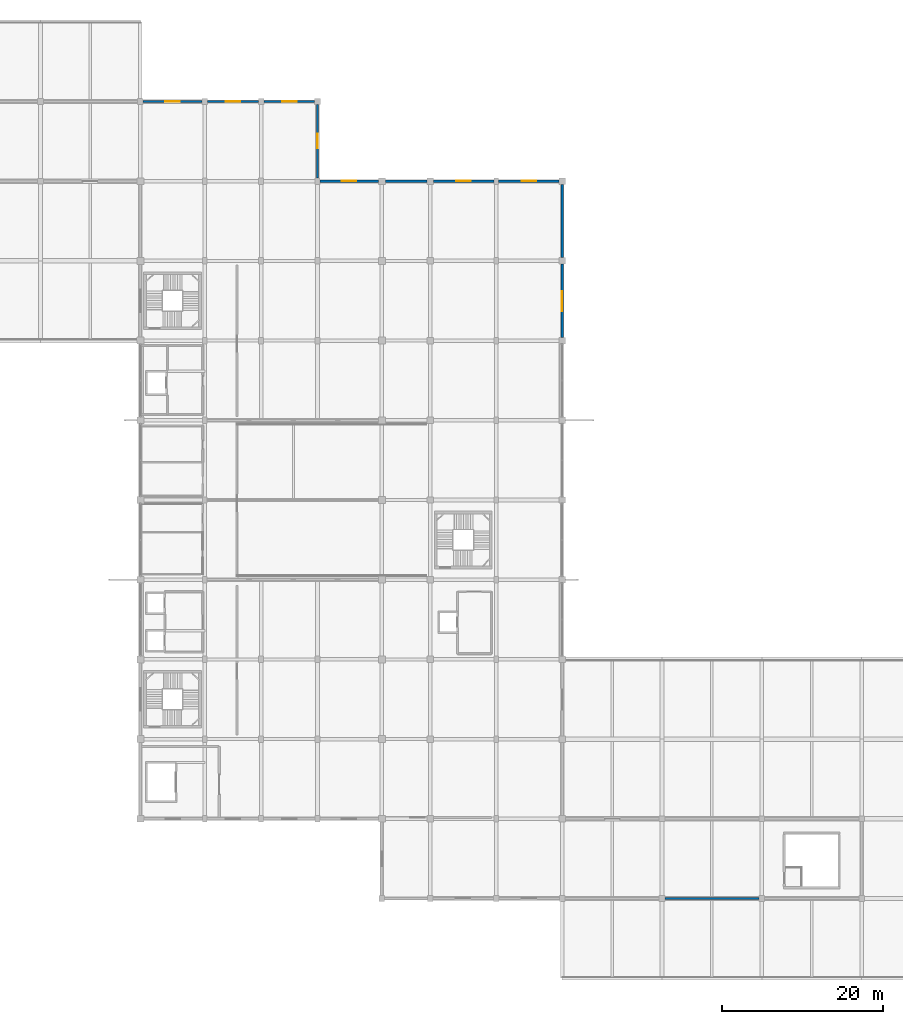
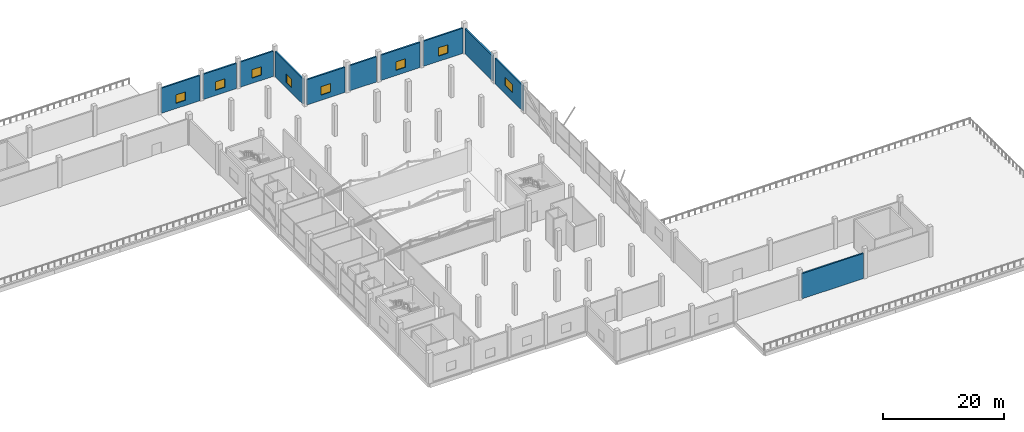
# One storey, part 29 of 46: 11 walls, 8 windows, 8 openings.
"""IFC4 building model written with IfcOpenShell, lengths in metres."""

from ifc_helpers import new_model, si_unit, direction, frame, frame_2d, origin, place, context, subcontext, project, spatial, rectangle, extrude, material, layer, layer_set, type_object, element, fill, save


model = new_model("IFC4")

# Units and contexts
model_context = context("Model", 3, precision=1e-05, world=origin(), true_north=direction((0.0, 1.0)))
body_context = subcontext(model_context, "Body", "Model", "MODEL_VIEW")
ifc_project = project(units=[si_unit("LENGTHUNIT", "METRE"), si_unit("AREAUNIT", "SQUARE_METRE"), si_unit("VOLUMEUNIT", "CUBIC_METRE"), si_unit("PLANEANGLEUNIT", "RADIAN"), si_unit("MASSUNIT", "GRAM", prefix="KILO")], contexts=[model_context])

# Site, building, storey
site_placement = place(None, origin())
site = spatial("IfcSite", under=ifc_project, at=site_placement, CompositionType="ELEMENT")
building_placement = place(site_placement, origin())
building = spatial("IfcBuilding", under=site, at=building_placement, Name="Sillaruma Civic Art Gallery", CompositionType="ELEMENT")
storey_placement = place(building_placement, frame((0.0, 0.0, 16.320068359375)))
storey = spatial("IfcBuildingStorey", under=building, at=storey_placement, Name="L03", CompositionType="ELEMENT", Elevation=16.320068359375)

# Wall, opening, window
ifc_material_1 = material(Name="Concrete H35 (35 MPa)", Category="concrete")
ifc_layer_1 = layer(ifc_material_1, 0.159912109375, Name="Concrete backup", Category="concrete")
ifc_material_2 = material(Name="Mineral Wool Thermal Insulation", Category="insulation")
ifc_layer_2 = layer(ifc_material_2, 0.090087890625, Name="Thermal insulation", Category="insulation")
ifc_material_3 = material(Name="Anodised Zinc-Aluminium Alloy", Category="aluminium")
ifc_layer_3 = layer(ifc_material_3, 0.030029296875, Name="Rainscreen finish", Category="aluminium")
ifc_layer_set_1 = layer_set([ifc_layer_1, ifc_layer_2, ifc_layer_3], Name="W-EXT-280")
wall_type_1 = type_object("IfcWallType", Name="WAL-EXT-280", PredefinedType="SOLIDWALL", material=ifc_layer_set_1)
wall_1_placement = place(storey_placement, frame((114.39990234375, 79.60009765625, 0.0), z_axis=(0.0, 0.0, 1.0), x_axis=(0.0, 1.0, 0.0)))
wall_1 = element("IfcWall", 1, at=wall_1_placement, inside=storey, type_object=wall_type_1, Name="Exterior Wall W-EXT-280 (EW-L03-E-7)", PredefinedType="SOLIDWALL", context=body_context, shape_type="SweptSolid", body=[
    extrude(rectangle(XDim=9.099853515625, YDim=0.280029296875, at=frame_2d((4.5498046875, 0.0))), origin(), (0.0, 0.0, 1.0), 5.079833984375),
])
opening_1_placement = place(wall_1_placement, frame((3.25, 0.0, 1.64990234375)))
opening_1 = element("IfcOpeningElement", 2, at=opening_1_placement, cuts=wall_1, Name="Opening WN-11", PredefinedType="OPENING", context=body_context, shape_type="SweptSolid", body=[
    extrude(rectangle(XDim=2.5, YDim=1.60009765625, at=frame_2d((1.25, 0.800048828125))), frame((0.0, 0.14990234375, 0.0), z_axis=(0.0, -1.0, 0.0), x_axis=(1.0, 0.0, 0.0)), (0.0, 0.0, 1.0), 0.300048828125),
])
ifc_material_4 = material(Name="Thermally Broken Extruded Aluminium 6063-T6", Category="aluminium")
window_type_1 = type_object("IfcWindowType", Name="WIN-W11", PartitioningType="SINGLE_PANEL", PredefinedType="WINDOW", material=ifc_material_4)
window_1_placement = place(opening_1_placement, origin())
window_1 = element("IfcWindow", 3, at=window_1_placement, inside=storey, type_object=window_type_1, Name="Window WN-11 (EW-L03-E-7-1)", OverallHeight=1.60009765625, OverallWidth=2.5, PartitioningType="SINGLE_PANEL", PredefinedType="WINDOW", context=body_context, shape_type="SweptSolid", body=[
    extrude(rectangle(XDim=2.5, YDim=1.60009765625, at=frame_2d((1.25, 0.800048828125))), frame((0.0, 0.030029296875, 0.0), z_axis=(0.0, -1.0, 0.0), x_axis=(1.0, 0.0, 0.0)), (0.0, 0.0, 1.0), 0.06005859375),
])
fill(opening_1, window_1)

# Walls
wall_2_placement = place(storey_placement, frame((127.14990234375, 9.89990234375, 0.0), z_axis=(0.0, 0.0, 1.0), x_axis=(1.0, 0.0, 0.0)))
element("IfcWall", 4, at=wall_2_placement, inside=storey, type_object=wall_type_1, Name="Exterior Wall W-EXT-280 (EW-L03-HH5-S2)", PredefinedType="SOLIDWALL", context=body_context, shape_type="SweptSolid", body=[
    extrude(rectangle(XDim=11.7001953125, YDim=0.280029296875, at=frame_2d((5.85009765625, 0.0))), origin(), (0.0, 0.0, 1.0), 5.079833984375),
])
ifc_material_5 = material(Name="Precast Concrete H35 (35 MPa)", Category="concrete")
ifc_layer_4 = layer(ifc_material_5, 0.179931640625, Name="Precast backup", Category="concrete")
ifc_layer_5 = layer(ifc_material_2, 0.090087890625, Name="Thermal insulation", Category="insulation")
ifc_material_6 = material(Name="Comanche Granitic Ashlar Stone", Category="masonry")
ifc_layer_6 = layer(ifc_material_6, 0.030029296875, Name="Rainscreen cladding", Category="masonry")
ifc_layer_set_2 = layer_set([ifc_layer_4, ifc_layer_5, ifc_layer_6], Name="W-EXT-300")
wall_type_2 = type_object("IfcWallType", Name="WAL-EXT-300", PredefinedType="SOLIDWALL", material=ifc_layer_set_2)
wall_3_placement = place(storey_placement, frame((114.39990234375, 89.5, 0.0), z_axis=(0.0, 0.0, 1.0), x_axis=(0.0, 1.0, 0.0)))
element("IfcWall", 5, at=wall_3_placement, inside=storey, type_object=wall_type_2, Name="Exterior Wall W-EXT-300 (EW-L03-E-8)", PredefinedType="SOLIDWALL", context=body_context, shape_type="SweptSolid", body=[
    extrude(rectangle(XDim=9.10009765625, YDim=0.300048828125, at=frame_2d((4.550048828125, 0.0))), origin(), (0.0, 0.0, 1.0), 5.079833984375),
])

# Wall, opening, window
wall_4_placement = place(storey_placement, frame((62.35009765625, 108.89990234375, 0.0), z_axis=(0.0, 0.0, 1.0), x_axis=(1.0, 0.0, 0.0)))
wall_4 = element("IfcWall", 6, at=wall_4_placement, inside=storey, type_object=wall_type_2, Name="Exterior Wall W-EXT-300 (EW-L03-NFG)", PredefinedType="SOLIDWALL", context=body_context, shape_type="SweptSolid", body=[
    extrude(rectangle(XDim=7.2998046875, YDim=0.300048828125, at=frame_2d((3.64990234375, 0.0))), origin(), (0.0, 0.0, 1.0), 5.079833984375),
])
opening_2_placement = place(wall_4_placement, frame((2.75, 0.0, 1.050048828125)))
opening_2 = element("IfcOpeningElement", 7, at=opening_2_placement, cuts=wall_4, Name="Opening WN-04", PredefinedType="OPENING", context=body_context, shape_type="SweptSolid", body=[
    extrude(rectangle(XDim=1.800048828125, YDim=1.699951171875, at=frame_2d((0.89990234375, 0.85009765625))), frame((0.0, 0.159912109375, 0.0), z_axis=(0.0, -1.0, 0.0), x_axis=(1.0, 0.0, 0.0)), (0.0, 0.0, 1.0), 0.320068359375),
])
window_type_2 = type_object("IfcWindowType", Name="WIN-W04", PartitioningType="SINGLE_PANEL", PredefinedType="WINDOW", material=ifc_material_4)
window_2_placement = place(opening_2_placement, origin())
window_2 = element("IfcWindow", 8, at=window_2_placement, inside=storey, type_object=window_type_2, Name="Window WN-04 (EW-L03-NFG-1)", OverallHeight=1.699951171875, OverallWidth=1.800048828125, PartitioningType="SINGLE_PANEL", PredefinedType="WINDOW", context=body_context, shape_type="SweptSolid", body=[
    extrude(rectangle(XDim=1.800048828125, YDim=1.699951171875, at=frame_2d((0.89990234375, 0.85009765625))), frame((0.0, 0.030029296875, 0.0), z_axis=(0.0, -1.0, 0.0), x_axis=(1.0, 0.0, 0.0)), (0.0, 0.0, 1.0), 0.06005859375),
])
fill(opening_2, window_2)

wall_5_placement = place(storey_placement, frame((70.35009765625, 108.89990234375, 0.0), z_axis=(0.0, 0.0, 1.0), x_axis=(1.0, 0.0, 0.0)))
wall_5 = element("IfcWall", 9, at=wall_5_placement, inside=storey, type_object=wall_type_2, Name="Exterior Wall W-EXT-300 (EW-L03-NGH)", PredefinedType="SOLIDWALL", context=body_context, shape_type="SweptSolid", body=[
    extrude(rectangle(XDim=6.2998046875, YDim=0.300048828125, at=frame_2d((3.14990234375, 0.0))), origin(), (0.0, 0.0, 1.0), 5.079833984375),
])
opening_3_placement = place(wall_5_placement, frame((2.25, 0.0, 1.050048828125)))
opening_3 = element("IfcOpeningElement", 10, at=opening_3_placement, cuts=wall_5, Name="Opening WN-04", PredefinedType="OPENING", context=body_context, shape_type="SweptSolid", body=[
    extrude(rectangle(XDim=1.800048828125, YDim=1.699951171875, at=frame_2d((0.89990234375, 0.85009765625))), frame((0.0, 0.159912109375, 0.0), z_axis=(0.0, -1.0, 0.0), x_axis=(1.0, 0.0, 0.0)), (0.0, 0.0, 1.0), 0.320068359375),
])
window_3_placement = place(opening_3_placement, origin())
window_3 = element("IfcWindow", 11, at=window_3_placement, inside=storey, type_object=window_type_2, Name="Window WN-04 (EW-L03-NGH-1)", OverallHeight=1.699951171875, OverallWidth=1.800048828125, PartitioningType="SINGLE_PANEL", PredefinedType="WINDOW", context=body_context, shape_type="SweptSolid", body=[
    extrude(rectangle(XDim=1.800048828125, YDim=1.699951171875, at=frame_2d((0.89990234375, 0.85009765625))), frame((0.0, 0.030029296875, 0.0), z_axis=(0.0, -1.0, 0.0), x_axis=(1.0, 0.0, 0.0)), (0.0, 0.0, 1.0), 0.06005859375),
])
fill(opening_3, window_3)

wall_6_placement = place(storey_placement, frame((77.35009765625, 108.89990234375, 0.0), z_axis=(0.0, 0.0, 1.0), x_axis=(1.0, 0.0, 0.0)))
wall_6 = element("IfcWall", 12, at=wall_6_placement, inside=storey, type_object=wall_type_2, Name="Exterior Wall W-EXT-300 (EW-L03-NHJ)", PredefinedType="SOLIDWALL", context=body_context, shape_type="SweptSolid", body=[
    extrude(rectangle(XDim=6.2998046875, YDim=0.300048828125, at=frame_2d((3.14990234375, 0.0))), origin(), (0.0, 0.0, 1.0), 5.079833984375),
])
opening_4_placement = place(wall_6_placement, frame((2.25, 0.0, 1.050048828125)))
opening_4 = element("IfcOpeningElement", 13, at=opening_4_placement, cuts=wall_6, Name="Opening WN-04", PredefinedType="OPENING", context=body_context, shape_type="SweptSolid", body=[
    extrude(rectangle(XDim=1.800048828125, YDim=1.699951171875, at=frame_2d((0.89990234375, 0.85009765625))), frame((0.0, 0.159912109375, 0.0), z_axis=(0.0, -1.0, 0.0), x_axis=(1.0, 0.0, 0.0)), (0.0, 0.0, 1.0), 0.320068359375),
])
window_4_placement = place(opening_4_placement, origin())
window_4 = element("IfcWindow", 14, at=window_4_placement, inside=storey, type_object=window_type_2, Name="Window WN-04 (EW-L03-NHJ-1)", OverallHeight=1.699951171875, OverallWidth=1.800048828125, PartitioningType="SINGLE_PANEL", PredefinedType="WINDOW", context=body_context, shape_type="SweptSolid", body=[
    extrude(rectangle(XDim=1.800048828125, YDim=1.699951171875, at=frame_2d((0.89990234375, 0.85009765625))), frame((0.0, 0.030029296875, 0.0), z_axis=(0.0, -1.0, 0.0), x_axis=(1.0, 0.0, 0.0)), (0.0, 0.0, 1.0), 0.06005859375),
])
fill(opening_4, window_4)

wall_7_placement = place(storey_placement, frame((84.0, 99.39990234375, 0.0), z_axis=(0.0, 0.0, 1.0), x_axis=(0.0, 1.0, 0.0)))
wall_7 = element("IfcWall", 15, at=wall_7_placement, inside=storey, type_object=wall_type_2, Name="Exterior Wall W-EXT-300 (EW-L03-NW)", PredefinedType="SOLIDWALL", context=body_context, shape_type="SweptSolid", body=[
    extrude(rectangle(XDim=9.150146484375, YDim=0.300048828125, at=frame_2d((4.5751953125, 0.0))), origin(), (0.0, 0.0, 1.0), 5.079833984375),
])
opening_5_placement = place(wall_7_placement, frame((3.675048828125, 0.0, 1.050048828125)))
opening_5 = element("IfcOpeningElement", 16, at=opening_5_placement, cuts=wall_7, Name="Opening WN-04", PredefinedType="OPENING", context=body_context, shape_type="SweptSolid", body=[
    extrude(rectangle(XDim=1.800048828125, YDim=1.699951171875, at=frame_2d((0.89990234375, 0.85009765625))), frame((0.0, 0.159912109375, 0.0), z_axis=(0.0, -1.0, 0.0), x_axis=(1.0, 0.0, 0.0)), (0.0, 0.0, 1.0), 0.320068359375),
])
window_5_placement = place(opening_5_placement, origin())
window_5 = element("IfcWindow", 17, at=window_5_placement, inside=storey, type_object=window_type_2, Name="Window WN-04 (EW-L03-NW-1)", OverallHeight=1.699951171875, OverallWidth=1.800048828125, PartitioningType="SINGLE_PANEL", PredefinedType="WINDOW", context=body_context, shape_type="SweptSolid", body=[
    extrude(rectangle(XDim=1.800048828125, YDim=1.699951171875, at=frame_2d((0.89990234375, 0.85009765625))), frame((0.0, 0.030029296875, 0.0), z_axis=(0.0, -1.0, 0.0), x_axis=(1.0, 0.0, 0.0)), (0.0, 0.0, 1.0), 0.06005859375),
])
fill(opening_5, window_5)

wall_8_placement = place(storey_placement, frame((84.300048828125, 99.0, 0.0), z_axis=(0.0, 0.0, 1.0), x_axis=(1.0, 0.0, 0.0)))
wall_8 = element("IfcWall", 18, at=wall_8_placement, inside=storey, type_object=wall_type_2, Name="Exterior Wall W-EXT-300 (EW-L03-NJK)", PredefinedType="SOLIDWALL", context=body_context, shape_type="SweptSolid", body=[
    extrude(rectangle(XDim=7.27490234375, YDim=0.300048828125, at=frame_2d((3.637451171875, 0.0))), origin(), (0.0, 0.0, 1.0), 5.079833984375),
])
opening_6_placement = place(wall_8_placement, frame((2.738037109375, 0.0, 1.050048828125)))
opening_6 = element("IfcOpeningElement", 19, at=opening_6_placement, cuts=wall_8, Name="Opening WN-04", PredefinedType="OPENING", context=body_context, shape_type="SweptSolid", body=[
    extrude(rectangle(XDim=1.800048828125, YDim=1.699951171875, at=frame_2d((0.89990234375, 0.85009765625))), frame((0.0, 0.159912109375, 0.0), z_axis=(0.0, -1.0, 0.0), x_axis=(1.0, 0.0, 0.0)), (0.0, 0.0, 1.0), 0.320068359375),
])
window_6_placement = place(opening_6_placement, origin())
window_6 = element("IfcWindow", 20, at=window_6_placement, inside=storey, type_object=window_type_2, Name="Window WN-04 (EW-L03-NJK-1)", OverallHeight=1.699951171875, OverallWidth=1.800048828125, PartitioningType="SINGLE_PANEL", PredefinedType="WINDOW", context=body_context, shape_type="SweptSolid", body=[
    extrude(rectangle(XDim=1.800048828125, YDim=1.699951171875, at=frame_2d((0.89990234375, 0.85009765625))), frame((0.0, 0.030029296875, 0.0), z_axis=(0.0, -1.0, 0.0), x_axis=(1.0, 0.0, 0.0)), (0.0, 0.0, 1.0), 0.06005859375),
])
fill(opening_6, window_6)

# Wall
wall_9_placement = place(storey_placement, frame((92.425048828125, 99.0, 0.0), z_axis=(0.0, 0.0, 1.0), x_axis=(1.0, 0.0, 0.0)))
element("IfcWall", 21, at=wall_9_placement, inside=storey, type_object=wall_type_2, Name="Exterior Wall W-EXT-300 (EW-L03-NKL)", PredefinedType="SOLIDWALL", context=body_context, shape_type="SweptSolid", body=[
    extrude(rectangle(XDim=5.175048828125, YDim=0.300048828125, at=frame_2d((2.58740234375, 0.0))), origin(), (0.0, 0.0, 1.0), 5.079833984375),
])

# Wall, opening, window
wall_10_placement = place(storey_placement, frame((98.39990234375, 99.0, 0.0), z_axis=(0.0, 0.0, 1.0), x_axis=(1.0, 0.0, 0.0)))
wall_10 = element("IfcWall", 22, at=wall_10_placement, inside=storey, type_object=wall_type_2, Name="Exterior Wall W-EXT-300 (EW-L03-NLM)", PredefinedType="SOLIDWALL", context=body_context, shape_type="SweptSolid", body=[
    extrude(rectangle(XDim=7.5, YDim=0.300048828125, at=frame_2d((3.75, 0.0))), origin(), (0.0, 0.0, 1.0), 5.079833984375),
])
opening_7_placement = place(wall_10_placement, frame((2.85009765625, 0.0, 1.050048828125)))
opening_7 = element("IfcOpeningElement", 23, at=opening_7_placement, cuts=wall_10, Name="Opening WN-04", PredefinedType="OPENING", context=body_context, shape_type="SweptSolid", body=[
    extrude(rectangle(XDim=1.800048828125, YDim=1.699951171875, at=frame_2d((0.89990234375, 0.85009765625))), frame((0.0, 0.159912109375, 0.0), z_axis=(0.0, -1.0, 0.0), x_axis=(1.0, 0.0, 0.0)), (0.0, 0.0, 1.0), 0.320068359375),
])
window_7_placement = place(opening_7_placement, origin())
window_7 = element("IfcWindow", 24, at=window_7_placement, inside=storey, type_object=window_type_2, Name="Window WN-04 (EW-L03-NLM-1)", OverallHeight=1.699951171875, OverallWidth=1.800048828125, PartitioningType="SINGLE_PANEL", PredefinedType="WINDOW", context=body_context, shape_type="SweptSolid", body=[
    extrude(rectangle(XDim=1.800048828125, YDim=1.699951171875, at=frame_2d((0.89990234375, 0.85009765625))), frame((0.0, 0.030029296875, 0.0), z_axis=(0.0, -1.0, 0.0), x_axis=(1.0, 0.0, 0.0)), (0.0, 0.0, 1.0), 0.06005859375),
])
fill(opening_7, window_7)

wall_11_placement = place(storey_placement, frame((106.5, 99.0, 0.0), z_axis=(0.0, 0.0, 1.0), x_axis=(1.0, 0.0, 0.0)))
wall_11 = element("IfcWall", 25, at=wall_11_placement, inside=storey, type_object=wall_type_2, Name="Exterior Wall W-EXT-300 (EW-L03-NMN)", PredefinedType="SOLIDWALL", context=body_context, shape_type="SweptSolid", body=[
    extrude(rectangle(XDim=7.5, YDim=0.300048828125, at=frame_2d((3.75, 0.0))), origin(), (0.0, 0.0, 1.0), 5.079833984375),
])
opening_8_placement = place(wall_11_placement, frame((2.85009765625, 0.0, 1.050048828125)))
opening_8 = element("IfcOpeningElement", 26, at=opening_8_placement, cuts=wall_11, Name="Opening WN-04", PredefinedType="OPENING", context=body_context, shape_type="SweptSolid", body=[
    extrude(rectangle(XDim=1.800048828125, YDim=1.699951171875, at=frame_2d((0.89990234375, 0.85009765625))), frame((0.0, 0.159912109375, 0.0), z_axis=(0.0, -1.0, 0.0), x_axis=(1.0, 0.0, 0.0)), (0.0, 0.0, 1.0), 0.320068359375),
])
window_8_placement = place(opening_8_placement, origin())
window_8 = element("IfcWindow", 27, at=window_8_placement, inside=storey, type_object=window_type_2, Name="Window WN-04 (EW-L03-NMN-1)", OverallHeight=1.699951171875, OverallWidth=1.800048828125, PartitioningType="SINGLE_PANEL", PredefinedType="WINDOW", context=body_context, shape_type="SweptSolid", body=[
    extrude(rectangle(XDim=1.800048828125, YDim=1.699951171875, at=frame_2d((0.89990234375, 0.85009765625))), frame((0.0, 0.030029296875, 0.0), z_axis=(0.0, -1.0, 0.0), x_axis=(1.0, 0.0, 0.0)), (0.0, 0.0, 1.0), 0.06005859375),
])
fill(opening_8, window_8)

save(model, "model.ifc")
